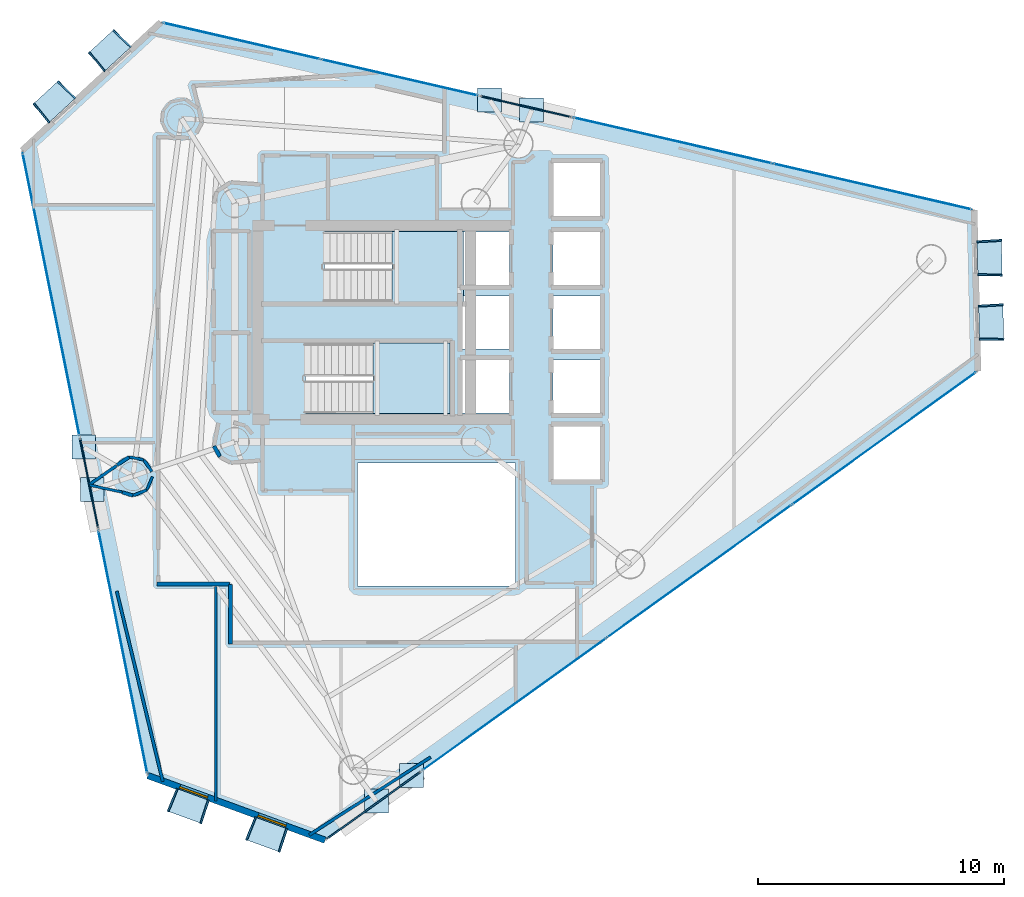
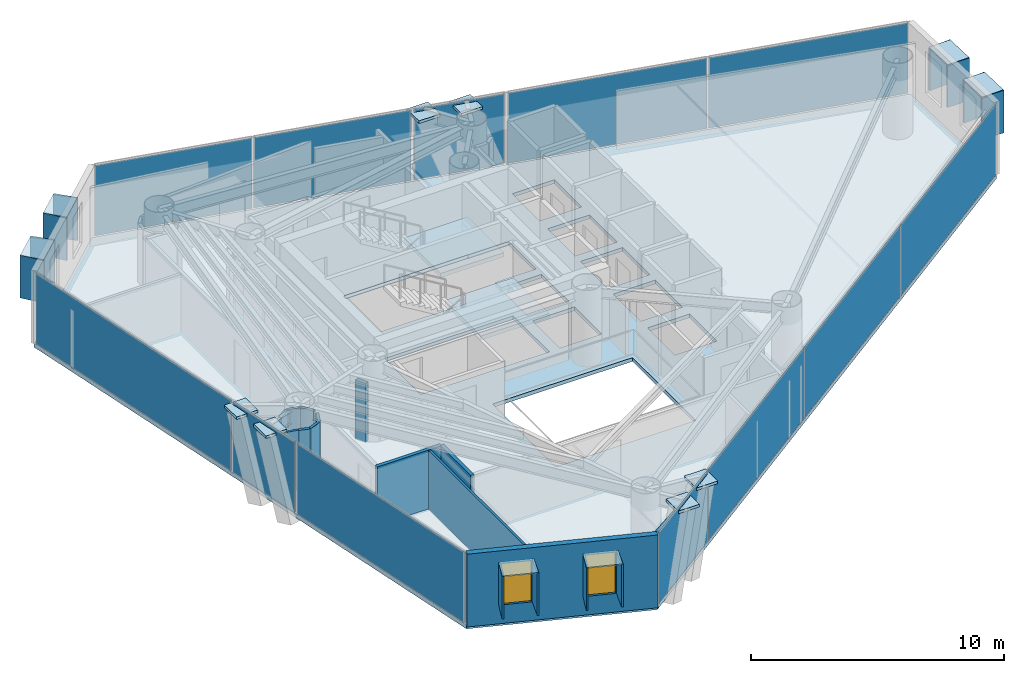
# One storey, part 16 of 22: 36 plates, 15 walls, 3 slabs, 2 windows, 2 openings, 10 elements without a shape of their own.
"""IFC4 building model written with IfcOpenShell, lengths in metres."""

from ifc_helpers import new_model, si_unit, direction, frame, frame_2d, origin, origin_2d, place, context, subcontext, project, spatial, polyline, rectangle, outline, extrude, material, layer, layer_set, type_object, element, fill, aggregate, save


model = new_model("IFC4")

# Units and contexts
model_context = context("Model", 3, precision=1e-05, world=origin(), true_north=direction((0.0, 1.0)))
body_context = subcontext(model_context, "Body", "Model", "MODEL_VIEW")
ifc_project = project(units=[si_unit("LENGTHUNIT", "METRE"), si_unit("AREAUNIT", "SQUARE_METRE"), si_unit("VOLUMEUNIT", "CUBIC_METRE"), si_unit("PLANEANGLEUNIT", "RADIAN"), si_unit("MASSUNIT", "GRAM", prefix="KILO")], contexts=[model_context])

# Site, building, storey
site_placement = place(None, origin())
site = spatial("IfcSite", under=ifc_project, at=site_placement, CompositionType="ELEMENT")
building_placement = place(site_placement, origin())
building = spatial("IfcBuilding", under=site, at=building_placement, Name="Qianvela Tower", CompositionType="ELEMENT")
storey_placement = place(building_placement, frame((0.0, 0.0, 196.60009765625)))
storey = spatial("IfcBuildingStorey", under=building, at=storey_placement, Name="L50", CompositionType="ELEMENT", Elevation=196.60009765625)

# Curtain wall, plate
ifc_material_1 = material(Name="Anodised Architectural Aluminium and Insulated Spandrel Panel", Category="aluminium")
ifc_layer_1 = layer(ifc_material_1, 0.179931640625)
ifc_layer_set_1 = layer_set([ifc_layer_1], Name="Anodised Architectural Aluminium and Insulated Spandrel Panel")
curtain_wall_type_1 = type_object("IfcCurtainWallType", Name="CW-BRACEBAY", PredefinedType="USERDEFINED", material=ifc_layer_set_1)
curtain_wall_1_placement = place(storey_placement, origin())
curtain_wall_1 = element("IfcCurtainWall", 1, at=curtain_wall_1_placement, inside=storey, type_object=curtain_wall_type_1, Name="L50 CW-BRACEBAY Curtain Wall 02B", ObjectType="CURTAIN_WALL_SYSTEM", PredefinedType="USERDEFINED")
ifc_material_2 = material(Name="Insulated Aluminium Spandrel Panel with Mineral-Wool Backpan", Category="aluminium")
ifc_layer_2 = layer(ifc_material_2, 0.06005859375)
ifc_layer_set_2 = layer_set([ifc_layer_2], Name="Insulated Aluminium Spandrel Panel with Mineral-Wool Backpan")
plate_type_1 = type_object("IfcPlateType", Name="CW-BRACEBAY-PNL", PredefinedType="CURTAIN_PANEL", material=ifc_layer_set_2)
plate_1_placement = place(storey_placement, frame((40.42919921875, 37.471435546875, 0.06494140625), z_axis=(0.0, 0.0, 1.0), x_axis=(-0.974399448406, 0.224823741955, 0.0)))
plate_1 = element("IfcPlate", 2, at=plate_1_placement, type_object=plate_type_1, Name="CW-9 panel 1.1", PredefinedType="CURTAIN_PANEL", context=body_context, shape_type="SweptSolid", body=[
    extrude(rectangle(XDim=3.75, YDim=0.06005859375, at=origin_2d()), origin(), (0.0, 0.0, 1.0), 3.389892578125),
])
aggregate(curtain_wall_1, [plate_1])

curtain_wall_2_placement = place(storey_placement, origin())
curtain_wall_2 = element("IfcCurtainWall", 3, at=curtain_wall_2_placement, inside=storey, type_object=curtain_wall_type_1, Name="L50 CW-BRACEBAY Curtain Wall 04B", ObjectType="CURTAIN_WALL_SYSTEM", PredefinedType="USERDEFINED")
plate_2_placement = place(storey_placement, frame((22.685302734375, 22.173583984375, 0.06494140625), z_axis=(0.0, 0.0, 1.0), x_axis=(0.196969638782, -0.980409588589, 0.0)))
plate_2 = element("IfcPlate", 4, at=plate_2_placement, type_object=plate_type_1, Name="CW-9 panel 1.1", PredefinedType="CURTAIN_PANEL", context=body_context, shape_type="SweptSolid", body=[
    extrude(rectangle(XDim=3.699951171875, YDim=0.06005859375, at=origin_2d()), origin(), (0.0, 0.0, 1.0), 3.389892578125),
])
aggregate(curtain_wall_2, [plate_2])

curtain_wall_3_placement = place(storey_placement, origin())
curtain_wall_3 = element("IfcCurtainWall", 5, at=curtain_wall_3_placement, inside=storey, type_object=curtain_wall_type_1, Name="L50 CW-BRACEBAY Curtain Wall 06A", ObjectType="CURTAIN_WALL_SYSTEM", PredefinedType="USERDEFINED")
plate_3_placement = place(storey_placement, frame((34.253662109375, 9.08837890625, 0.06494140625), z_axis=(0.0, 0.0, 1.0), x_axis=(0.811957616937, 0.58371639372, 0.0)))
plate_3 = element("IfcPlate", 6, at=plate_3_placement, type_object=plate_type_1, Name="CW-9 panel 1.1", PredefinedType="CURTAIN_PANEL", context=body_context, shape_type="SweptSolid", body=[
    extrude(rectangle(XDim=4.639892578125, YDim=0.06005859375, at=origin_2d()), origin(), (0.0, 0.0, 1.0), 3.389892578125),
])
aggregate(curtain_wall_3, [plate_3])

# Curtain wall, plates
ifc_material_3 = material(Name="Anodised Architectural Aluminium and Low-E Glass", Category="aluminium")
ifc_layer_3 = layer(ifc_material_3, 0.159912109375)
ifc_layer_set_3 = layer_set([ifc_layer_3], Name="Anodised Architectural Aluminium and Low-E Glass")
curtain_wall_type_2 = type_object("IfcCurtainWallType", Name="CW-COLIV-Z56", PredefinedType="USERDEFINED", material=ifc_layer_set_3)
curtain_wall_4_placement = place(storey_placement, origin())
curtain_wall_4 = element("IfcCurtainWall", 7, at=curtain_wall_4_placement, inside=storey, type_object=curtain_wall_type_2, Name="L50 CW-COLIV-Z56 Curtain Wall 02A", ObjectType="CURTAIN_WALL_SYSTEM", PredefinedType="USERDEFINED")
ifc_material_4 = material(Name="Double-Silver Low-E Insulated Glass", Category="glass")
ifc_layer_4 = layer(ifc_material_4, 0.028076171875)
ifc_layer_set_4 = layer_set([ifc_layer_4], Name="Double-Silver Low-E Insulated Glass")
plate_type_2 = type_object("IfcPlateType", Name="CW-COLIV-Z56-PNL", PredefinedType="CURTAIN_PANEL", material=ifc_layer_set_4)
plate_4_placement = place(storey_placement, frame((54.508056640625, 34.22314453125, 0.06005859375), z_axis=(0.0, 0.0, 1.0), x_axis=(-0.974397654263, 0.224831517735, 0.0)))
plate_4 = element("IfcPlate", 8, at=plate_4_placement, type_object=plate_type_2, Name="CW-5 panel 1.1", PredefinedType="CURTAIN_PANEL", context=body_context, shape_type="SweptSolid", body=[
    extrude(rectangle(XDim=8.25244140625, YDim=0.028076171875, at=origin_2d()), origin(), (0.0, 0.0, 1.0), 3.39990234375),
])
plate_5_placement = place(storey_placement, frame((46.403564453125, 36.093017578125, 0.06005859375), z_axis=(0.0, 0.0, 1.0), x_axis=(-0.974397654263, 0.224831517735, 0.0)))
plate_5 = element("IfcPlate", 9, at=plate_5_placement, type_object=plate_type_2, Name="CW-5 panel 2.1", PredefinedType="CURTAIN_PANEL", context=body_context, shape_type="SweptSolid", body=[
    extrude(rectangle(XDim=8.25244140625, YDim=0.028076171875, at=origin_2d()), origin(), (0.0, 0.0, 1.0), 3.39990234375),
])
aggregate(curtain_wall_4, [plate_4, plate_5])

curtain_wall_5_placement = place(storey_placement, origin())
curtain_wall_5 = element("IfcCurtainWall", 10, at=curtain_wall_5_placement, inside=storey, type_object=curtain_wall_type_2, Name="L50 CW-COLIV-Z56 Curtain Wall 02C", ObjectType="CURTAIN_WALL_SYSTEM", PredefinedType="USERDEFINED")
plate_6_placement = place(storey_placement, frame((35.30078125, 38.65478515625, 0.06005859375), z_axis=(0.0, 0.0, 1.0), x_axis=(-0.974396674132, 0.224835765484, 0.0)))
plate_6 = element("IfcPlate", 11, at=plate_6_placement, type_object=plate_type_2, Name="CW-5 panel 1.1", PredefinedType="CURTAIN_PANEL", context=body_context, shape_type="SweptSolid", body=[
    extrude(rectangle(XDim=6.516357421875, YDim=0.028076171875, at=origin_2d()), origin(), (0.0, 0.0, 1.0), 3.39990234375),
])
plate_7_placement = place(storey_placement, frame((28.887939453125, 40.134521484375, 0.06005859375), z_axis=(0.0, 0.0, 1.0), x_axis=(-0.974396674132, 0.224835765484, 0.0)))
plate_7 = element("IfcPlate", 12, at=plate_7_placement, type_object=plate_type_2, Name="CW-5 panel 2.1", PredefinedType="CURTAIN_PANEL", context=body_context, shape_type="SweptSolid", body=[
    extrude(rectangle(XDim=6.516357421875, YDim=0.028076171875, at=origin_2d()), origin(), (0.0, 0.0, 1.0), 3.39990234375),
])
aggregate(curtain_wall_5, [plate_6, plate_7])

# Curtain wall, plate
curtain_wall_6_placement = place(storey_placement, origin())
curtain_wall_6 = element("IfcCurtainWall", 13, at=curtain_wall_6_placement, inside=storey, type_object=curtain_wall_type_2, Name="L50 CW-COLIV-Z56 Curtain Wall 04A", ObjectType="CURTAIN_WALL_SYSTEM", PredefinedType="USERDEFINED")
plate_8_placement = place(storey_placement, frame((21.14404296875, 29.84521484375, 0.06005859375), z_axis=(0.0, 0.0, 1.0), x_axis=(0.196979980613, -0.980407510802, 0.0)))
plate_8 = element("IfcPlate", 14, at=plate_8_placement, type_object=plate_type_2, Name="CW-5 panel 1.1", PredefinedType="CURTAIN_PANEL", context=body_context, shape_type="SweptSolid", body=[
    extrude(rectangle(XDim=11.68994140625, YDim=0.028076171875, at=origin_2d()), origin(), (0.0, 0.0, 1.0), 3.39990234375),
])
aggregate(curtain_wall_6, [plate_8])

curtain_wall_7_placement = place(storey_placement, origin())
curtain_wall_7 = element("IfcCurtainWall", 15, at=curtain_wall_7_placement, inside=storey, type_object=curtain_wall_type_2, Name="L50 CW-COLIV-Z56 Curtain Wall 04C", ObjectType="CURTAIN_WALL_SYSTEM", PredefinedType="USERDEFINED")
plate_9_placement = place(storey_placement, frame((24.0625, 15.31884765625, 0.06005859375), z_axis=(0.0, 0.0, 1.0), x_axis=(0.19698354362, -0.980406794929, 0.0)))
plate_9 = element("IfcPlate", 16, at=plate_9_placement, type_object=plate_type_2, Name="CW-5 panel 1.1", PredefinedType="CURTAIN_PANEL", context=body_context, shape_type="SweptSolid", body=[
    extrude(rectangle(XDim=10.023193359375, YDim=0.028076171875, at=origin_2d()), origin(), (0.0, 0.0, 1.0), 3.39990234375),
])
aggregate(curtain_wall_7, [plate_9])

# Curtain wall, plates
curtain_wall_8_placement = place(storey_placement, origin())
curtain_wall_8 = element("IfcCurtainWall", 17, at=curtain_wall_8_placement, inside=storey, type_object=curtain_wall_type_2, Name="L50 CW-COLIV-Z56 Curtain Wall 06B", ObjectType="CURTAIN_WALL_SYSTEM", PredefinedType="USERDEFINED")
plate_10_placement = place(storey_placement, frame((39.9638671875, 13.193359375, 0.06005859375), z_axis=(0.0, 0.0, 1.0), x_axis=(0.811951730676, 0.583724581505, 0.0)))
plate_10 = element("IfcPlate", 18, at=plate_10_placement, type_object=plate_type_2, Name="CW-5 panel 1.1", PredefinedType="CURTAIN_PANEL", context=body_context, shape_type="SweptSolid", body=[
    extrude(rectangle(XDim=9.165283203125, YDim=0.028076171875, at=origin_2d()), origin(), (0.0, 0.0, 1.0), 3.39990234375),
])
plate_11_placement = place(storey_placement, frame((47.471435546875, 18.5908203125, 0.06005859375), z_axis=(0.0, 0.0, 1.0), x_axis=(0.811951730676, 0.583724581505, 0.0)))
plate_11 = element("IfcPlate", 19, at=plate_11_placement, type_object=plate_type_2, Name="CW-5 panel 2.1", PredefinedType="CURTAIN_PANEL", context=body_context, shape_type="SweptSolid", body=[
    extrude(rectangle(XDim=9.19775390625, YDim=0.028076171875, at=origin_2d()), origin(), (0.0, 0.0, 1.0), 3.39990234375),
])
plate_12_placement = place(storey_placement, frame((54.979248046875, 23.98828125, 0.06005859375), z_axis=(0.0, 0.0, 1.0), x_axis=(0.811951730676, 0.583724581505, 0.0)))
plate_12 = element("IfcPlate", 20, at=plate_12_placement, type_object=plate_type_2, Name="CW-5 panel 3.1", PredefinedType="CURTAIN_PANEL", context=body_context, shape_type="SweptSolid", body=[
    extrude(rectangle(XDim=9.165283203125, YDim=0.028076171875, at=origin_2d()), origin(), (0.0, 0.0, 1.0), 3.39990234375),
])
aggregate(curtain_wall_8, [plate_10, plate_11, plate_12])

# Plates
ifc_material_5 = material(Name="Steel Q420GJC", Category="steel")
ifc_layer_5 = layer(ifc_material_5, 0.1298828125)
ifc_layer_set_5 = layer_set([ifc_layer_5], Name="Steel Q420GJC")
plate_type_3 = type_object("IfcPlateType", Name="PT-ENDCAP-130", PredefinedType="USERDEFINED", material=ifc_layer_set_5)
for number, where, z_axis, x_axis, name in (
    (21, (40.654052734375, 37.337646484375, 3.20947265625), (0.0, 0.0, 1.0), (1.0, 0.0, 0.0), "L50 Hollow Section End Cap Plate B"),
    (22, (38.9462890625, 37.731689453125, 3.20947265625), (0.0, 0.0, 1.0), (1.0, 0.0, 0.0), "L50 Hollow Section End Cap Plate B"),
    (23, (22.471923828125, 23.6416015625, 3.209716796875), (0.0, 0.0, 1.0), (1.0, 0.0, 0.0), "L50 Hollow Section End Cap Plate B"),
    (24, (22.817138671875, 21.923095703125, 3.209716796875), (0.0, 0.0, 1.0), (1.0, 0.0, 0.0), "L50 Hollow Section End Cap Plate B"),
    (25, (34.369140625, 9.27001953125, 3.208740234375), (0.0, 0.0, 1.0), (1.0, 0.0, 0.0), "L50 Hollow Section End Cap Plate B"),
    (26, (35.792236328125, 10.29296875, 3.208740234375), (0.0, 0.0, 1.0), (1.0, 0.0, 0.0), "L50 Hollow Section End Cap Plate B"),
):
    element("IfcPlate", number, at=place(storey_placement, frame(where, z_axis=z_axis, x_axis=x_axis)), inside=storey, type_object=plate_type_3, Name=name, ObjectType="END_CAP", PredefinedType="USERDEFINED", context=body_context, shape_type="SweptSolid", body=[
        extrude(rectangle(XDim=0.969970703125, YDim=0.969970703125, at=origin_2d()), origin(), (0.0, 0.0, 1.0), 0.1298828125),
    ])

# Slab
ifc_material_6 = material(Name="Concrete C40", Category="concrete")
ifc_layer_6 = layer(ifc_material_6, 0.179931640625)
ifc_layer_set_6 = layer_set([ifc_layer_6], Name="Concrete C40")
slab_type_1 = type_object("IfcSlabType", Name="SL-FLOOR-180", PredefinedType="FLOOR", material=ifc_layer_set_6)
slab_1_placement = place(storey_placement, frame((0.0, 0.0, -0.18017578125)))
element("IfcSlab", 27, at=slab_1_placement, inside=storey, type_object=slab_type_1, Name="L50 Composite Structural Floor Slab", PredefinedType="FLOOR", context=body_context, shape_type="SweptSolid", body=[
    extrude(outline(polyline([(58.79345703125, 26.730224609375), (58.640869140625, 33.26953125), (25.60107421875, 40.89306640625), (19.969970703125, 35.6884765625), (25.072265625, 10.292724609375), (32.276611328125, 7.6669921875), (58.79345703125, 26.730224609375)]), holes=[polyline([(40.0, 23.0), (33.60009765625, 23.0), (33.60009765625, 18.0), (40.0, 18.0), (40.0, 23.0)]), polyline([(39.760009765625, 27.179931640625), (37.840087890625, 27.179931640625), (37.840087890625, 25.02001953125), (39.760009765625, 25.02001953125), (39.760009765625, 27.179931640625)]), polyline([(37.35009765625, 27.860107421875), (31.469970703125, 27.860107421875), (31.469970703125, 25.0), (37.35009765625, 25.0), (37.35009765625, 27.860107421875)]), polyline([(37.840087890625, 27.6201171875), (39.760009765625, 27.6201171875), (39.760009765625, 29.780029296875), (37.89990234375, 29.780029296875), (37.89990234375, 30.219970703125), (39.760009765625, 30.219970703125), (39.760009765625, 32.3798828125), (37.89990234375, 32.3798828125), (37.89990234375, 32.39990234375), (32.25, 32.39990234375), (32.25, 29.5400390625), (37.840087890625, 29.5400390625), (37.840087890625, 27.6201171875)]), polyline([(43.4599609375, 22.320068359375), (43.4599609375, 24.47998046875), (41.5400390625, 24.47998046875), (41.5400390625, 22.320068359375), (43.4599609375, 22.320068359375)]), polyline([(43.4599609375, 25.02001953125), (43.4599609375, 27.179931640625), (41.5400390625, 27.179931640625), (41.5400390625, 25.02001953125), (43.4599609375, 25.02001953125)]), polyline([(43.4599609375, 29.780029296875), (41.5400390625, 29.780029296875), (41.5400390625, 27.6201171875), (43.4599609375, 27.6201171875), (43.4599609375, 29.780029296875)]), polyline([(43.4599609375, 30.219970703125), (43.4599609375, 32.3798828125), (41.5400390625, 32.3798828125), (41.5400390625, 30.219970703125), (43.4599609375, 30.219970703125)]), polyline([(43.4599609375, 33.02001953125), (43.4599609375, 35.179931640625), (41.5400390625, 35.179931640625), (41.5400390625, 33.02001953125), (43.4599609375, 33.02001953125)])]), origin(), (0.0, 0.0, 1.0), 0.18017578125),
])

# Stair, slab
ifc_material_7 = material(Name="Concrete C40", Category="concrete")
stair_type = type_object("IfcStairType", Name="ST-DOGLEG-1350-R168-N22", PredefinedType="HALF_TURN_STAIR", material=ifc_material_7)
stair_1_placement = place(storey_placement, origin())
stair_1 = element("IfcStair", 28, at=stair_1_placement, inside=storey, type_object=stair_type, Name="L50 Smoke-Proof Core Stair ST-1", PredefinedType="HALF_TURN_STAIR")
ifc_material_8 = material(Name="Concrete C40", Category="concrete")
ifc_layer_7 = layer(ifc_material_8, 0.199951171875)
ifc_layer_set_7 = layer_set([ifc_layer_7], Name="Concrete C40")
slab_type_2 = type_object("IfcSlabType", Name="SL-STAIR-LANDING-200", PredefinedType="LANDING", material=ifc_layer_set_7)
slab_2_placement = place(storey_placement, frame((0.0, 0.0, 1.64990234375)))
slab_2 = element("IfcSlab", 29, at=slab_2_placement, type_object=slab_type_2, Name="ST-1 landing 1", PredefinedType="LANDING", context=body_context, shape_type="SweptSolid", body=[
    extrude(outline(polyline([(35.0, 29.5400390625), (37.89990234375, 29.5400390625), (37.89990234375, 32.39990234375), (35.0, 32.39990234375), (35.0, 29.5400390625)])), origin(), (0.0, 0.0, 1.0), 0.199951171875),
])
aggregate(stair_1, [slab_2])

stair_2_placement = place(storey_placement, origin())
stair_2 = element("IfcStair", 30, at=stair_2_placement, inside=storey, type_object=stair_type, Name="L50 Smoke-Proof Core Stair ST-2", PredefinedType="HALF_TURN_STAIR")
slab_3_placement = place(storey_placement, frame((0.0, 0.0, 1.64990234375)))
slab_3 = element("IfcSlab", 31, at=slab_3_placement, type_object=slab_type_2, Name="ST-2 landing 1", PredefinedType="LANDING", context=body_context, shape_type="SweptSolid", body=[
    extrude(outline(polyline([(34.219970703125, 25.0), (37.35009765625, 25.0), (37.35009765625, 27.860107421875), (34.219970703125, 27.860107421875), (34.219970703125, 25.0)])), origin(), (0.0, 0.0, 1.0), 0.199951171875),
])
aggregate(stair_2, [slab_3])

# Plates
ifc_material_9 = material(Name="Vitrified Architectural Terracotta Panel", Category="masonry")
ifc_layer_8 = layer(ifc_material_9, 0.06005859375)
ifc_layer_set_8 = layer_set([ifc_layer_8], Name="Vitrified Architectural Terracotta Panel")
plate_type_4 = type_object("IfcPlateType", Name="TERRACOTTA-SUNSHADE-HOOD-FOLD-A", PredefinedType="USERDEFINED", material=ifc_layer_set_8)
for number, where, z_axis, x_axis, name in (
    (32, (23.5146484375, 39.76123046875, 2.909912109375), (0.0, 0.0, 1.0), (-0.734369896878, -0.678749478497, 0.0), "L50 Terracotta Sunshade Hood FOLD-A"),
    (33, (21.26220703125, 37.679443359375, 2.909912109375), (0.0, 0.0, 1.0), (-0.734369896878, -0.678749478497, 0.0), "L50 Terracotta Sunshade Hood FOLD-A"),
):
    element("IfcPlate", number, at=place(storey_placement, frame(where, z_axis=z_axis, x_axis=x_axis)), inside=storey, type_object=plate_type_4, Name=name, ObjectType="SUNSHADE", PredefinedType="USERDEFINED", context=body_context, shape_type="SweptSolid", body=[
        extrude(rectangle(XDim=1.43994140625, YDim=0.989990234375, at=origin_2d()), origin(), (0.0, 0.0, 1.0), 0.06005859375),
    ])
ifc_material_10 = material(Name="Vitrified Architectural Terracotta Panel", Category="masonry")
ifc_layer_9 = layer(ifc_material_10, 0.070068359375)
ifc_layer_set_9 = layer_set([ifc_layer_9], Name="Vitrified Architectural Terracotta Panel")
plate_type_5 = type_object("IfcPlateType", Name="TERRACOTTA-SUNSHADE-HOOD-FOLD-C", PredefinedType="USERDEFINED", material=ifc_layer_set_9)
for number, where, z_axis, x_axis, name in (
    (34, (59.33251953125, 28.705810546875, 2.909912109375), (0.0, 0.0, 1.0), (-0.023329444697, 0.999727831467, 0.0), "L50 Terracotta Sunshade Hood FOLD-C"),
    (35, (59.271484375, 31.3212890625, 2.909912109375), (0.0, 0.0, 1.0), (-0.023329444697, 0.999727831467, 0.0), "L50 Terracotta Sunshade Hood FOLD-C"),
    (36, (26.732666015625, 9.06494140625, 2.909912109375), (0.0, 0.0, 1.0), (0.939539710927, -0.342439967865, 0.0), "L50 Terracotta Sunshade Hood FOLD-C"),
    (37, (29.9150390625, 7.905029296875, 2.909912109375), (0.0, 0.0, 1.0), (0.939539710927, -0.342439967865, 0.0), "L50 Terracotta Sunshade Hood FOLD-C"),
):
    element("IfcPlate", number, at=place(storey_placement, frame(where, z_axis=z_axis, x_axis=x_axis)), inside=storey, type_object=plate_type_5, Name=name, ObjectType="SUNSHADE", PredefinedType="USERDEFINED", context=body_context, shape_type="SweptSolid", body=[
        extrude(rectangle(XDim=1.43994140625, YDim=0.989990234375, at=origin_2d()), origin(), (0.0, 0.0, 1.0), 0.06005859375),
    ])
ifc_material_11 = material(Name="Vitrified Architectural Terracotta Side Fin Panel", Category="masonry")
ifc_layer_10 = layer(ifc_material_11, 0.06494140625)
ifc_layer_set_10 = layer_set([ifc_layer_10], Name="Vitrified Architectural Terracotta Side Fin Panel")
plate_type_6 = type_object("IfcPlateType", Name="TERRACOTTA-SUNSHADE-STRUT-FOLD-A", PredefinedType="USERDEFINED", material=ifc_layer_set_10)
for number, where, z_axis, x_axis, name in (
    (38, (24.021484375, 40.2294921875, 0.89990234375), (0.0, 0.0, 1.0), (-0.685233838543, -0.728323133311, 0.0), "L50 Terracotta Sunshade Side Fin HL FOLD-A"),
    (39, (23.008056640625, 39.29296875, 0.89990234375), (0.0, 0.0, 1.0), (-0.779928178894, -0.625869024451, 0.0), "L50 Terracotta Sunshade Side Fin HR FOLD-A"),
    (40, (21.76904296875, 38.147705078125, 0.89990234375), (0.0, 0.0, 1.0), (-0.685233838543, -0.728323133311, 0.0), "L50 Terracotta Sunshade Side Fin HL FOLD-A"),
    (41, (20.755615234375, 37.2109375, 0.89990234375), (0.0, 0.0, 1.0), (-0.779928178894, -0.625869024451, 0.0), "L50 Terracotta Sunshade Side Fin HR FOLD-A"),
):
    element("IfcPlate", number, at=place(storey_placement, frame(where, z_axis=z_axis, x_axis=x_axis)), inside=storey, type_object=plate_type_6, Name=name, ObjectType="SUNSHADE", PredefinedType="USERDEFINED", context=body_context, shape_type="SweptSolid", body=[
        extrude(rectangle(XDim=0.06494140625, YDim=1.010009765625, at=origin_2d()), origin(), (0.0, 0.0, 1.0), 2.06005859375),
    ])
ifc_material_12 = material(Name="Vitrified Architectural Terracotta Side Fin Panel", Category="masonry")
ifc_layer_11 = layer(ifc_material_12, 0.074951171875)
ifc_layer_set_11 = layer_set([ifc_layer_11], Name="Vitrified Architectural Terracotta Side Fin Panel")
plate_type_7 = type_object("IfcPlateType", Name="TERRACOTTA-SUNSHADE-STRUT-FOLD-C", PredefinedType="USERDEFINED", material=ifc_layer_set_11)
for number, where, z_axis, x_axis, name in (
    (42, (59.3486328125, 28.015869140625, 0.89990234375), (0.0, 0.0, 1.0), (0.011574765128, 0.999933010162, 0.0), "L50 Terracotta Sunshade Side Fin HL FOLD-C"),
    (43, (59.31640625, 29.3955078125, 0.89990234375), (0.0, 0.0, 1.0), (-0.058205231187, 0.998304638406, 0.0), "L50 Terracotta Sunshade Side Fin HR FOLD-C"),
    (44, (59.28759765625, 30.631591796875, 0.89990234375), (0.0, 0.0, 1.0), (0.011574765128, 0.999933010162, 0.0), "L50 Terracotta Sunshade Side Fin HL FOLD-C"),
    (45, (59.25537109375, 32.01123046875, 0.89990234375), (0.0, 0.0, 1.0), (-0.058205231187, 0.998304638406, 0.0), "L50 Terracotta Sunshade Side Fin HR FOLD-C"),
    (46, (26.084228515625, 9.30126953125, 0.89990234375), (0.0, 0.0, 1.0), (0.927016386191, -0.375020825732, 0.0), "L50 Terracotta Sunshade Side Fin HL FOLD-C"),
    (47, (27.380859375, 8.82861328125, 0.89990234375), (0.0, 0.0, 1.0), (0.95091835125, -0.309441899646, 0.0), "L50 Terracotta Sunshade Side Fin HR FOLD-C"),
    (48, (29.2666015625, 8.141357421875, 0.89990234375), (0.0, 0.0, 1.0), (0.927016386191, -0.375020825732, 0.0), "L50 Terracotta Sunshade Side Fin HL FOLD-C"),
    (49, (30.563232421875, 7.668701171875, 0.89990234375), (0.0, 0.0, 1.0), (0.95091835125, -0.309441899646, 0.0), "L50 Terracotta Sunshade Side Fin HR FOLD-C"),
):
    element("IfcPlate", number, at=place(storey_placement, frame(where, z_axis=z_axis, x_axis=x_axis)), inside=storey, type_object=plate_type_7, Name=name, ObjectType="SUNSHADE", PredefinedType="USERDEFINED", context=body_context, shape_type="SweptSolid", body=[
        extrude(rectangle(XDim=0.074951171875, YDim=1.010009765625, at=origin_2d()), origin(), (0.0, 0.0, 1.0), 2.06005859375),
    ])

# Wall, openings, windows
ifc_material_13 = material(Name="Terracotta Cladding on Concrete C40", Category="masonry")
ifc_layer_12 = layer(ifc_material_13, 0.260009765625)
ifc_layer_set_12 = layer_set([ifc_layer_12], Name="Terracotta Cladding on Concrete C40")
wall_type_1 = type_object("IfcWallType", Name="TERRACOTTA-WALL-260", PredefinedType="SOLIDWALL", material=ifc_layer_set_12)
wall_1_placement = place(storey_placement, frame((25.072265625, 10.292724609375, 0.0), z_axis=(0.0, 0.0, 1.0), x_axis=(0.939543106306, -0.342430651948, 0.0)))
wall_1 = element("IfcWall", 50, at=wall_1_placement, inside=storey, type_object=wall_type_1, Name="L50 Terracotta Chamfer Facet Wall 5", PredefinedType="SOLIDWALL", context=body_context, shape_type="SweptSolid", body=[
    extrude(rectangle(XDim=7.66796875, YDim=0.260009765625, at=frame_2d((3.833984375, 0.0))), origin(), (0.0, 0.0, 1.0), 3.52001953125),
])
opening_1_placement = place(wall_1_placement, frame((1.38037109375, 0.0, 0.89990234375)))
opening_1 = element("IfcOpeningElement", 51, at=opening_1_placement, cuts=wall_1, Name="Opening W-03", PredefinedType="OPENING", context=body_context, shape_type="SweptSolid", body=[
    extrude(rectangle(XDim=1.199951171875, YDim=2.0, at=frame_2d((0.60009765625, 1.0))), frame((0.0, 0.139892578125, 0.0), z_axis=(0.0, -1.0, 0.0), x_axis=(1.0, 0.0, 0.0)), (0.0, 0.0, 1.0), 0.280029296875),
])
opening_2_placement = place(wall_1_placement, frame((4.767578125, 0.0, 0.89990234375)))
opening_2 = element("IfcOpeningElement", 52, at=opening_2_placement, cuts=wall_1, Name="Opening W-03", PredefinedType="OPENING", context=body_context, shape_type="SweptSolid", body=[
    extrude(rectangle(XDim=1.199951171875, YDim=2.0, at=frame_2d((0.60009765625, 1.0))), frame((0.0, 0.139892578125, 0.0), z_axis=(0.0, -1.0, 0.0), x_axis=(1.0, 0.0, 0.0)), (0.0, 0.0, 1.0), 0.280029296875),
])
ifc_material_14 = material(Name="Thermally Broken Aluminium and Low-E Glass", Category="aluminium")
window_type = type_object("IfcWindowType", Name="WIN-TC-1200x2000", PartitioningType="SINGLE_PANEL", PredefinedType="WINDOW", material=ifc_material_14)
window_1_placement = place(opening_1_placement, origin())
window_1 = element("IfcWindow", 53, at=window_1_placement, inside=storey, type_object=window_type, Name="L50 Chamfer Facet Window 5.1", OverallHeight=2.0, OverallWidth=1.199951171875, PartitioningType="SINGLE_PANEL", PredefinedType="WINDOW", context=body_context, shape_type="SweptSolid", body=[
    extrude(rectangle(XDim=1.199951171875, YDim=2.0, at=frame_2d((0.60009765625, 1.0))), frame((0.0, 0.030029296875, 0.0), z_axis=(0.0, -1.0, 0.0), x_axis=(1.0, 0.0, 0.0)), (0.0, 0.0, 1.0), 0.06005859375),
])
fill(opening_1, window_1)
window_2_placement = place(opening_2_placement, origin())
window_2 = element("IfcWindow", 54, at=window_2_placement, inside=storey, type_object=window_type, Name="L50 Chamfer Facet Window 5.2", OverallHeight=2.0, OverallWidth=1.199951171875, PartitioningType="SINGLE_PANEL", PredefinedType="WINDOW", context=body_context, shape_type="SweptSolid", body=[
    extrude(rectangle(XDim=1.199951171875, YDim=2.0, at=frame_2d((0.60009765625, 1.0))), frame((0.0, 0.030029296875, 0.0), z_axis=(0.0, -1.0, 0.0), x_axis=(1.0, 0.0, 0.0)), (0.0, 0.0, 1.0), 0.06005859375),
])
fill(opening_2, window_2)

# Walls
ifc_material_15 = material(Name="Fire-Rated Gypsum and Concrete Block", Category="concrete")
ifc_layer_13 = layer(ifc_material_15, 0.159912109375)
ifc_layer_set_13 = layer_set([ifc_layer_13], Name="Fire-Rated Gypsum and Concrete Block")
wall_type_2 = type_object("IfcWallType", Name="WT-CORR-160", PredefinedType="PARTITIONING", material=ifc_layer_set_13)
wall_2_placement = place(storey_placement, frame((27.768310546875, 23.67529296875, 0.0), z_axis=(0.0, 0.0, 1.0), x_axis=(0.471865548338, -0.881670519123, 0.0)))
element("IfcWall", 55, at=wall_2_placement, inside=storey, type_object=wall_type_2, Name="L50 Partition 63", PredefinedType="PARTITIONING", context=body_context, shape_type="SweptSolid", body=[
    extrude(rectangle(XDim=0.47607421875, YDim=0.159912109375, at=frame_2d((0.238037109375, 0.0))), origin(), (0.0, 0.0, 1.0), 2.83984375),
])
wall_3_placement = place(storey_placement, frame((28.430908203125, 15.64990234375, 0.0), z_axis=(0.0, 0.0, 1.0), x_axis=(0.0, 1.0, 0.0)))
element("IfcWall", 56, at=wall_3_placement, inside=storey, type_object=wall_type_2, Name="L50 Partition 71", PredefinedType="PARTITIONING", context=body_context, shape_type="SweptSolid", body=[
    extrude(rectangle(XDim=2.400146484375, YDim=0.159912109375, at=frame_2d((1.2001953125, 0.0))), origin(), (0.0, 0.0, 1.0), 2.83984375),
])
wall_4_placement = place(storey_placement, frame((28.39990234375, 18.0810546875, 0.0), z_axis=(0.0, 0.0, 1.0), x_axis=(-1.0, 0.0, 0.0)))
element("IfcWall", 57, at=wall_4_placement, inside=storey, type_object=wall_type_2, Name="L50 Partition 72", PredefinedType="PARTITIONING", context=body_context, shape_type="SweptSolid", body=[
    extrude(rectangle(XDim=2.949951171875, YDim=0.159912109375, at=frame_2d((1.47509765625, 0.0))), origin(), (0.0, 0.0, 1.0), 2.83984375),
])
ifc_material_16 = material(Name="Lightweight Gypsum Room Partition")
ifc_layer_14 = layer(ifc_material_16, 0.10498046875)
ifc_layer_set_14 = layer_set([ifc_layer_14], Name="Lightweight Gypsum Room Partition")
wall_type_3 = type_object("IfcWallType", Name="WT-PART-105", PredefinedType="PARTITIONING", material=ifc_layer_set_14)
wall_5_placement = place(storey_placement, frame((24.900390625, 23.122314453125, 0.0), z_axis=(0.0, 0.0, 1.0), x_axis=(-0.980773892286, 0.195147565217, 0.0)))
element("IfcWall", 58, at=wall_5_placement, inside=storey, type_object=wall_type_3, Name="L50 Partition 77", PredefinedType="PARTITIONING", context=body_context, shape_type="SweptSolid", body=[
    extrude(rectangle(XDim=0.581787109375, YDim=0.10498046875, at=frame_2d((0.291015625, 0.0))), origin(), (0.0, 0.0, 1.0), 2.83984375),
])
wall_6_placement = place(storey_placement, frame((22.701416015625, 22.09375, 0.0), z_axis=(0.0, 0.0, 1.0), x_axis=(0.977868408838, -0.209220876102, 0.0)))
element("IfcWall", 59, at=wall_6_placement, inside=storey, type_object=wall_type_3, Name="L50 Partition 80", PredefinedType="PARTITIONING", context=body_context, shape_type="SweptSolid", body=[
    extrude(rectangle(XDim=1.3525390625, YDim=0.10498046875, at=frame_2d((0.67626953125, 0.0))), origin(), (0.0, 0.0, 1.0), 2.83984375),
])
wall_7_placement = place(storey_placement, frame((25.0380859375, 21.910400390625, 0.0), z_axis=(0.0, 0.0, 1.0), x_axis=(0.389093528864, 0.921198255424, 0.0)))
element("IfcWall", 60, at=wall_7_placement, inside=storey, type_object=wall_type_3, Name="L50 Partition 83", PredefinedType="PARTITIONING", context=body_context, shape_type="SweptSolid", body=[
    extrude(rectangle(XDim=0.568359375, YDim=0.10498046875, at=frame_2d((0.2841796875, 0.0))), origin(), (0.0, 0.0, 1.0), 2.83984375),
])
wall_8_placement = place(storey_placement, frame((27.826904296875, 17.969970703125, 0.0), z_axis=(0.0, 0.0, 1.0), x_axis=(0.0, -1.0, 0.0)))
element("IfcWall", 61, at=wall_8_placement, inside=storey, type_object=wall_type_3, Name="L50 Partition 86", PredefinedType="PARTITIONING", context=body_context, shape_type="SweptSolid", body=[
    extrude(rectangle(XDim=8.701171875, YDim=0.10498046875, at=frame_2d((4.3505859375, 0.0))), origin(), (0.0, 0.0, 1.0), 2.83984375),
])
ifc_material_17 = material(Name="Insulated Gypsum Stud Partition")
ifc_layer_15 = layer(ifc_material_17, 0.1201171875)
ifc_layer_set_15 = layer_set([ifc_layer_15], Name="Insulated Gypsum Stud Partition")
wall_type_4 = type_object("IfcWallType", Name="WT-PART-120", PredefinedType="PARTITIONING", material=ifc_layer_set_15)
wall_9_placement = place(storey_placement, frame((25.237548828125, 22.6435546875, 0.0), z_axis=(0.0, 0.0, 1.0), x_axis=(-0.563363697458, 0.826209019792, 0.0)))
element("IfcWall", 62, at=wall_9_placement, inside=storey, type_object=wall_type_4, Name="L50 Partition 76", PredefinedType="PARTITIONING", context=body_context, shape_type="SweptSolid", body=[
    extrude(rectangle(XDim=0.563720703125, YDim=0.1201171875, at=frame_2d((0.28173828125, 0.0))), origin(), (0.0, 0.0, 1.0), 2.83984375),
])
wall_10_placement = place(storey_placement, frame((23.809814453125, 22.88818359375, 0.0), z_axis=(0.0, 0.0, 1.0), x_axis=(-0.821958461882, -0.569547440466, 0.0)))
element("IfcWall", 63, at=wall_10_placement, inside=storey, type_object=wall_type_4, Name="L50 Partition 79 seg 1", PredefinedType="PARTITIONING", context=body_context, shape_type="SweptSolid", body=[
    extrude(rectangle(XDim=1.354248046875, YDim=0.1201171875, at=frame_2d((0.67724609375, 0.0))), origin(), (0.0, 0.0, 1.0), 2.83984375),
])
wall_11_placement = place(storey_placement, frame((24.48388671875, 21.67138671875, 0.0), z_axis=(0.0, 0.0, 1.0), x_axis=(0.923832639322, 0.382796622927, 0.0)))
element("IfcWall", 64, at=wall_11_placement, inside=storey, type_object=wall_type_4, Name="L50 Partition 82", PredefinedType="PARTITIONING", context=body_context, shape_type="SweptSolid", body=[
    extrude(rectangle(XDim=0.58154296875, YDim=0.1201171875, at=frame_2d((0.290771484375, 0.0))), origin(), (0.0, 0.0, 1.0), 2.83984375),
])
wall_12_placement = place(storey_placement, frame((25.6826171875, 10.05224609375, 0.0), z_axis=(0.0, 0.0, 1.0), x_axis=(-0.235151316301, 0.971958774044, 0.0)))
element("IfcWall", 65, at=wall_12_placement, inside=storey, type_object=wall_type_4, Name="L50 Partition 88 seg 1", PredefinedType="PARTITIONING", context=body_context, shape_type="SweptSolid", body=[
    extrude(rectangle(XDim=7.9580078125, YDim=0.1201171875, at=frame_2d((3.97900390625, 0.0))), origin(), (0.0, 0.0, 1.0), 2.83984375),
])
wall_13_placement = place(storey_placement, frame((36.560302734375, 11.0419921875, 0.0), z_axis=(0.0, 0.0, 1.0), x_axis=(-0.841833935687, -0.539736625333, 0.0)))
element("IfcWall", 66, at=wall_13_placement, inside=storey, type_object=wall_type_4, Name="L50 Partition 130 seg 1", PredefinedType="PARTITIONING", context=body_context, shape_type="SweptSolid", body=[
    extrude(rectangle(XDim=5.851806640625, YDim=0.1201171875, at=frame_2d((2.92578125, 0.0))), origin(), (0.0, 0.0, 1.0), 2.83984375),
])
ifc_material_18 = material(Name="Acoustic Double Gypsum Stud Partition")
ifc_layer_16 = layer(ifc_material_18, 0.139892578125)
ifc_layer_set_16 = layer_set([ifc_layer_16], Name="Acoustic Double Gypsum Stud Partition")
wall_type_5 = type_object("IfcWallType", Name="WT-ROOM-140", PredefinedType="PARTITIONING", material=ifc_layer_set_16)
wall_14_placement = place(storey_placement, frame((24.306396484375, 23.231201171875, 0.0), z_axis=(0.0, 0.0, 1.0), x_axis=(-0.831274401047, -0.555862276256, 0.0)))
element("IfcWall", 67, at=wall_14_placement, inside=storey, type_object=wall_type_5, Name="L50 Partition 78", PredefinedType="PARTITIONING", context=body_context, shape_type="SweptSolid", body=[
    extrude(rectangle(XDim=0.58154296875, YDim=0.139892578125, at=frame_2d((0.290771484375, 0.0))), origin(), (0.0, 0.0, 1.0), 2.83984375),
])
wall_15_placement = place(storey_placement, frame((24.040771484375, 21.79833984375, 0.0), z_axis=(0.0, 0.0, 1.0), x_axis=(0.957015093463, -0.290038119708, 0.0)))
element("IfcWall", 68, at=wall_15_placement, inside=storey, type_object=wall_type_5, Name="L50 Partition 81 seg 1", PredefinedType="PARTITIONING", context=body_context, shape_type="SweptSolid", body=[
    extrude(rectangle(XDim=0.441162109375, YDim=0.139892578125, at=frame_2d((0.220703125, 0.0))), origin(), (0.0, 0.0, 1.0), 2.83984375),
])

save(model, "model.ifc")
